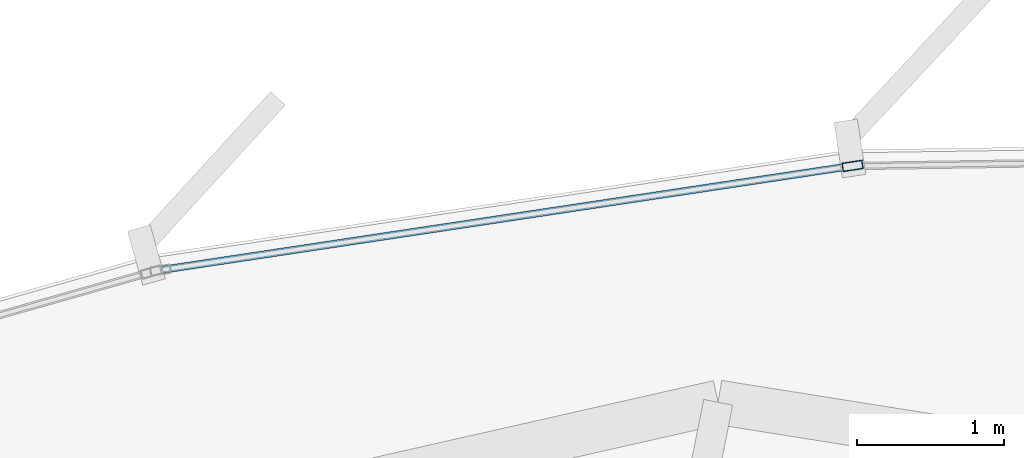
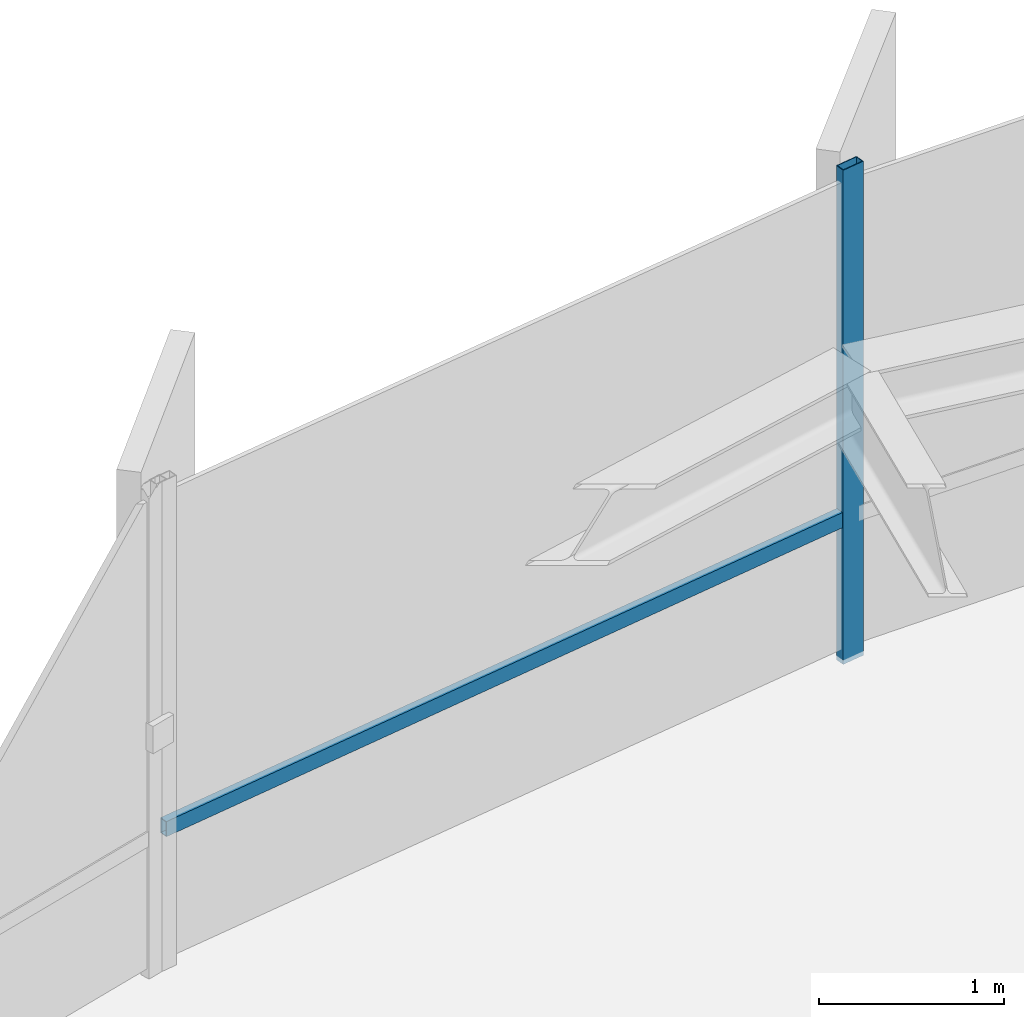
# One storey, part 24 of 36: 2 members, 1 element without a shape of its own.
"""IFC4 building model written with IfcOpenShell, lengths in metres."""

from ifc_helpers import new_model, si_unit, direction, frame, origin, origin_2d, place, context, subcontext, project, spatial, hollow_rectangle, extrude, source, transform, mapped, material, layer, layer_set, material_profile, profile_set, type_object, element, aggregate, save


model = new_model("IFC4")

# Units and contexts
model_context = context("Model", 3, precision=1e-05, world=origin(), true_north=direction((0.0, 1.0)))
body_context = subcontext(model_context, "Body", "Model", "MODEL_VIEW")
ifc_project = project(units=[si_unit("LENGTHUNIT", "METRE"), si_unit("AREAUNIT", "SQUARE_METRE"), si_unit("VOLUMEUNIT", "CUBIC_METRE"), si_unit("PLANEANGLEUNIT", "RADIAN"), si_unit("MASSUNIT", "GRAM", prefix="KILO"), si_unit("THERMODYNAMICTEMPERATUREUNIT", "KELVIN")], contexts=[model_context])

# Site, building, storey
site_placement = place(None, origin())
site = spatial("IfcSite", under=ifc_project, at=site_placement, CompositionType="ELEMENT")
building_placement = place(site_placement, origin())
building = spatial("IfcBuilding", under=site, at=building_placement, Name="Kethvar Cultural Tower", CompositionType="ELEMENT")
storey_placement = place(building_placement, frame((0.0, 0.0, 176.39990234375)))
storey = spatial("IfcBuildingStorey", under=building, at=storey_placement, Name="L45", CompositionType="ELEMENT", Elevation=176.39990234375)

# Curtain wall, members
ifc_material = material(Name="Aluminium 6063-T6", Category="aluminium")
ifc_layer = layer(ifc_material, 0.179931640625, Name="Aluminium 6063-T6", Category="aluminium")
ifc_layer_set = layer_set([ifc_layer], Name="Aluminium 6063-T6 (180 mm)")
curtain_wall_type = type_object("IfcCurtainWallType", Name="CW-SYS-04-Z34", PredefinedType="NOTDEFINED", material=ifc_layer_set)
curtain_wall_placement = place(storey_placement, origin())
curtain_wall = element("IfcCurtainWall", 1, at=curtain_wall_placement, inside=storey, type_object=curtain_wall_type, Name="L45 Curtain Wall Run 01", PredefinedType="NOTDEFINED")
ifc_material_profile_1 = material_profile(ifc_material, hollow_rectangle(XDim=0.06005859375, YDim=0.139892578125, WallThickness=0.0048828125, at=origin_2d()), Name="Aluminium 6063-T6 — RHS140x60x5")
ifc_profile_set_1 = profile_set([ifc_material_profile_1], Name="Aluminium 6063-T6 — RHS140x60x5")
member_type_1 = type_object("IfcMemberType", Name="CW-SYS-04-Z34-MUL", PredefinedType="MULLION", material=ifc_profile_set_1)
shared_shape_1 = source(origin(), body_context, "Body", "SweptSolid", [
    extrude(hollow_rectangle(XDim=0.06005859375, YDim=0.139892578125, WallThickness=0.0048828125, at=origin_2d()), origin(), (0.0, 0.0, 1.0), 3.260009765625),
])
member_1_placement = place(storey_placement, frame((52.0927734375, 51.4296875, 0.0), z_axis=(0.0, 0.0, 1.0), x_axis=(0.14882776599, -0.988863133133, 0.0)))
member_1 = element("IfcMember", 2, at=member_1_placement, type_object=member_type_1, Name="CW-L45-R01 Mullion 6", PredefinedType="MULLION", context=body_context, shape_type="MappedRepresentation", body=[
    mapped(shared_shape_1, transform((0.0, 0.0, 0.0), scale=1.0)),
])
ifc_material_profile_2 = material_profile(ifc_material, hollow_rectangle(XDim=0.050048828125, YDim=0.10009765625, WallThickness=0.00390625, at=origin_2d()), Name="Aluminium 6063-T6 — RHS100x50x4")
ifc_profile_set_2 = profile_set([ifc_material_profile_2], Name="Aluminium 6063-T6 — RHS100x50x4")
member_type_2 = type_object("IfcMemberType", Name="CW-SYS-04-Z34-TRN", PredefinedType="USERDEFINED", material=ifc_profile_set_2)
shared_shape_2 = source(origin(), body_context, "Body", "SweptSolid", [
    extrude(hollow_rectangle(XDim=0.050048828125, YDim=0.10009765625, WallThickness=0.00390625, at=origin_2d()), origin(), (0.0, 0.0, 1.0), 4.7001953125),
])
member_2_placement = place(storey_placement, frame((52.050048828125, 51.42333984375, 0.9501953125), z_axis=(-0.98886537585, -0.148812863841, 0.0), x_axis=(0.148812863841, -0.98886537585, 0.0)))
member_2 = element("IfcMember", 3, at=member_2_placement, type_object=member_type_2, Name="CW-L45-R01 Transom 6", ObjectType="TRANSOM", PredefinedType="USERDEFINED", context=body_context, shape_type="MappedRepresentation", body=[
    mapped(shared_shape_2, transform((0.0, 0.0, 0.0), scale=1.0)),
])
aggregate(curtain_wall, [member_1, member_2])

save(model, "model.ifc")
